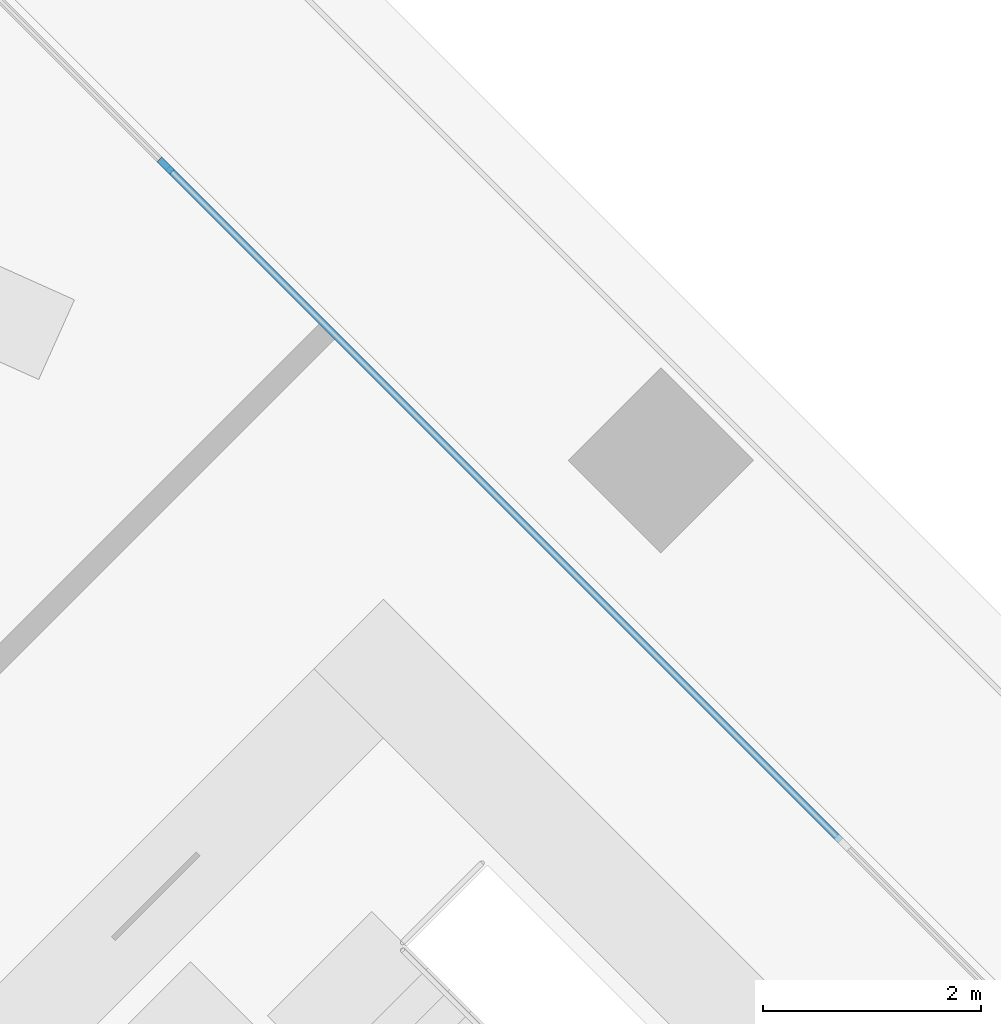
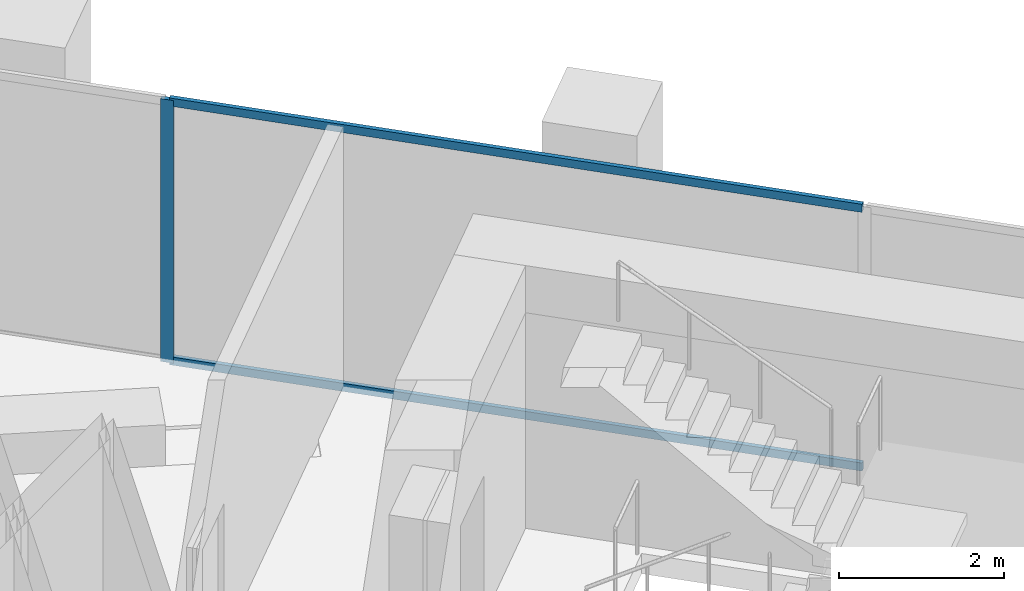
# One storey, part 10 of 24: 3 members, 1 element without a shape of its own.
"""IFC4 building model written with IfcOpenShell, lengths in metres."""

from ifc_helpers import new_model, si_unit, direction, frame, origin, origin_2d, place, context, subcontext, project, spatial, rectangle, extrude, material, material_profile, profile_set, type_object, element, aggregate, save


model = new_model("IFC4")

# Units and contexts
model_context = context("Model", 3, precision=1e-05, world=origin(), true_north=direction((0.0, 1.0)))
body_context = subcontext(model_context, "Body", "Model", "MODEL_VIEW")
ifc_project = project(units=[si_unit("LENGTHUNIT", "METRE"), si_unit("AREAUNIT", "SQUARE_METRE"), si_unit("VOLUMEUNIT", "CUBIC_METRE"), si_unit("PLANEANGLEUNIT", "RADIAN"), si_unit("MASSUNIT", "GRAM", prefix="KILO")], contexts=[model_context])

# Site, building, storey
site_placement = place(None, origin())
site = spatial("IfcSite", under=ifc_project, at=site_placement, CompositionType="ELEMENT")
building_placement = place(site_placement, origin())
building = spatial("IfcBuilding", under=site, at=building_placement, Name="Windrow Commons", CompositionType="ELEMENT")
storey_placement = place(building_placement, frame((0.0, 0.0, 77.0)))
storey = spatial("IfcBuildingStorey", under=building, at=storey_placement, Name="L20", CompositionType="ELEMENT", Elevation=77.0)

# Curtain wall, members
ifc_material_1 = material(Name="Clear laminated glass in Aluminium 6063-T6 anodised frame", Category="aluminium")
curtain_wall_type = type_object("IfcCurtainWallType", Name="Curtain wall CW2 sky lounge", PredefinedType="USERDEFINED", material=ifc_material_1)
curtain_wall_placement = place(storey_placement, origin())
curtain_wall = element("IfcCurtainWall", 1, at=curtain_wall_placement, inside=storey, type_object=curtain_wall_type, Name="Curtain wall CW2 L20 3", ObjectType="UNITISED", PredefinedType="USERDEFINED")
ifc_material_2 = material(Name="Aluminium 6063-T6", Category="aluminium")
ifc_material_profile_1 = material_profile(ifc_material_2, rectangle(XDim=0.06, YDim=0.16, at=origin_2d()))
ifc_profile_set_1 = profile_set([ifc_material_profile_1], Name="Aluminium 6063-T6")
member_type_1 = type_object("IfcMemberType", Name="CW2 mullion 60x160", PredefinedType="MULLION", material=ifc_profile_set_1)
member_1_placement = place(storey_placement, frame((84.841, 64.5205, 0.0), z_axis=(0.0, 0.0, 1.0), x_axis=(-0.7071067812, -0.7071067812, 0.0)))
member_1 = element("IfcMember", 2, at=member_1_placement, type_object=member_type_1, Name="CW2 mullion 5", PredefinedType="MULLION", context=body_context, shape_type="SweptSolid", body=[
    extrude(rectangle(XDim=0.06, YDim=0.16, at=origin_2d()), origin(), (0.0, 0.0, 1.0), 3.9),
])
ifc_material_3 = material(Name="Aluminium 6063-T6", Category="aluminium")
ifc_material_profile_2 = material_profile(ifc_material_3, rectangle(XDim=0.06, YDim=0.12, at=origin_2d()))
ifc_profile_set_2 = profile_set([ifc_material_profile_2], Name="Aluminium 6063-T6")
member_type_2 = type_object("IfcMemberType", Name="CW2 transom 60x120", PredefinedType="USERDEFINED", material=ifc_profile_set_2)
member_2_placement = place(storey_placement, frame((91.0286, 58.3329, 0.03), z_axis=(-0.7071067812, 0.7071067812, 0.0), x_axis=(-0.7071067812, -0.7071067812, 0.0)))
member_2 = element("IfcMember", 3, at=member_2_placement, type_object=member_type_2, Name="CW2 transom 4.1", ObjectType="TRANSOM", PredefinedType="USERDEFINED", context=body_context, shape_type="SweptSolid", body=[
    extrude(rectangle(XDim=0.06, YDim=0.12, at=origin_2d()), origin(), (0.0, 0.0, 1.0), 8.7206),
])
member_3_placement = place(storey_placement, frame((91.0286, 58.3329, 3.87), z_axis=(-0.7071067812, 0.7071067812, 0.0), x_axis=(-0.7071067812, -0.7071067812, 0.0)))
member_3 = element("IfcMember", 4, at=member_3_placement, type_object=member_type_2, Name="CW2 transom 4.2", ObjectType="TRANSOM", PredefinedType="USERDEFINED", context=body_context, shape_type="SweptSolid", body=[
    extrude(rectangle(XDim=0.06, YDim=0.12, at=origin_2d()), origin(), (0.0, 0.0, 1.0), 8.7206),
])
aggregate(curtain_wall, [member_1, member_2, member_3])

save(model, "model.ifc")
